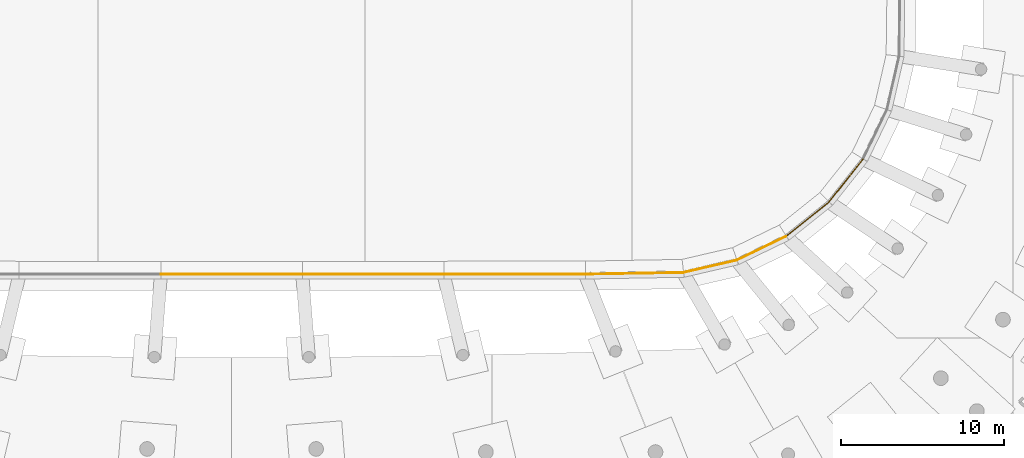
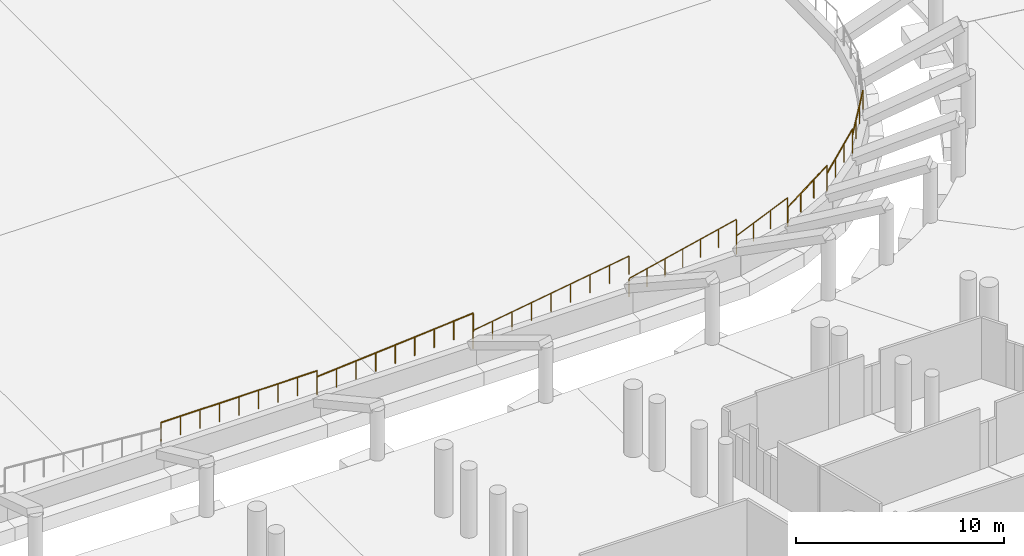
# One storey, part 120 of 142: 8 railings.
"""IFC4 building model written with IfcOpenShell, lengths in metres."""

from ifc_helpers import new_model, si_unit, direction, frame, origin, origin_2d, place, context, subcontext, project, spatial, circle, extrude, material, type_object, element, save


model = new_model("IFC4")

# Units and contexts
model_context = context("Model", 3, precision=1e-05, world=origin(), true_north=direction((0.0, 1.0)))
body_context = subcontext(model_context, "Body", "Model", "MODEL_VIEW")
ifc_project = project(units=[si_unit("LENGTHUNIT", "METRE"), si_unit("AREAUNIT", "SQUARE_METRE"), si_unit("VOLUMEUNIT", "CUBIC_METRE"), si_unit("PLANEANGLEUNIT", "RADIAN"), si_unit("MASSUNIT", "GRAM", prefix="KILO")], contexts=[model_context])

# Site, building, storey
site_placement = place(None, origin())
site = spatial("IfcSite", under=ifc_project, at=site_placement, CompositionType="ELEMENT")
building_placement = place(site_placement, origin())
building = spatial("IfcBuilding", under=site, at=building_placement, Name="Meseta Stadium", CompositionType="ELEMENT")
storey_placement = place(building_placement, frame((0.0, 0.0, -4.0)))
storey = spatial("IfcBuildingStorey", under=building, at=storey_placement, Name="B1", CompositionType="ELEMENT", Elevation=-4.0)

# Railings
ifc_material = material(Name="Steel S355", Category="steel")
railing_type = type_object("IfcRailingType", Name="Stand edge guard 1100", PredefinedType="GUARDRAIL", material=ifc_material)
railing_1_placement = place(storey_placement, frame((-4.34130859375, -60.099609375, 1.05078125)))
element("IfcRailing", 1, at=railing_1_placement, inside=storey, type_object=railing_type, Name="Stand lower tier front guard bay 47", PredefinedType="GUARDRAIL", context=body_context, shape_type="SweptSolid", body=[
    extrude(circle(Radius=0.02490234375, at=origin_2d()), frame((0.0, 0.0, 1.0751953125), z_axis=(1.0, 0.0, 0.0), x_axis=(0.0, 1.0, 0.0)), (0.0, 0.0, 1.0), 8.6826171875),
    extrude(circle(Radius=0.02001953125, at=origin_2d()), origin(), (0.0, 0.0, 1.0), 1.050048828125),
    extrude(circle(Radius=0.02001953125, at=origin_2d()), frame((1.08544921875, 0.0, 0.0)), (0.0, 0.0, 1.0), 1.050048828125),
    extrude(circle(Radius=0.02001953125, at=origin_2d()), frame((2.170654296875, 0.0, 0.0)), (0.0, 0.0, 1.0), 1.050048828125),
    extrude(circle(Radius=0.02001953125, at=origin_2d()), frame((3.255859375, 0.0, 0.0)), (0.0, 0.0, 1.0), 1.050048828125),
    extrude(circle(Radius=0.02001953125, at=origin_2d()), frame((4.34130859375, 0.0, 0.0)), (0.0, 0.0, 1.0), 1.050048828125),
    extrude(circle(Radius=0.02001953125, at=origin_2d()), frame((5.4267578125, 0.0, 0.0)), (0.0, 0.0, 1.0), 1.050048828125),
    extrude(circle(Radius=0.02001953125, at=origin_2d()), frame((6.511962890625, 0.0, 0.0)), (0.0, 0.0, 1.0), 1.050048828125),
    extrude(circle(Radius=0.02001953125, at=origin_2d()), frame((7.59716796875, 0.0, 0.0)), (0.0, 0.0, 1.0), 1.050048828125),
    extrude(circle(Radius=0.02001953125, at=origin_2d()), frame((8.6826171875, 0.0, 0.0)), (0.0, 0.0, 1.0), 1.050048828125),
])
railing_2_placement = place(storey_placement, frame((4.34130859375, -60.099609375, 0.704345703125)))
element("IfcRailing", 2, at=railing_2_placement, inside=storey, type_object=railing_type, Name="Stand lower tier front guard bay 48", PredefinedType="GUARDRAIL", context=body_context, shape_type="SweptSolid", body=[
    extrude(circle(Radius=0.02490234375, at=origin_2d()), frame((0.0, 0.0, 1.0751953125), z_axis=(0.996830558854, 0.000252284104, 0.079553587526), x_axis=(-0.000253086238, 0.999999967974, 0.0)), (0.0, 0.0, 1.0), 8.70947265625),
    extrude(circle(Radius=0.02001953125, at=origin_2d()), origin(), (0.0, 0.0, 1.0), 1.050048828125),
    extrude(circle(Radius=0.02001953125, at=origin_2d()), frame((1.085205078125, 0.000244140625, 0.086669921875)), (0.0, 0.0, 1.0), 1.050048828125),
    extrude(circle(Radius=0.02001953125, at=origin_2d()), frame((2.17041015625, 0.00048828125, 0.17333984375)), (0.0, 0.0, 1.0), 1.050048828125),
    extrude(circle(Radius=0.02001953125, at=origin_2d()), frame((3.255615234375, 0.000732421875, 0.259765625)), (0.0, 0.0, 1.0), 1.050048828125),
    extrude(circle(Radius=0.02001953125, at=origin_2d()), frame((4.3408203125, 0.0009765625, 0.346435546875)), (0.0, 0.0, 1.0), 1.050048828125),
    extrude(circle(Radius=0.02001953125, at=origin_2d()), frame((5.42626953125, 0.00146484375, 0.43310546875)), (0.0, 0.0, 1.0), 1.050048828125),
    extrude(circle(Radius=0.02001953125, at=origin_2d()), frame((6.511474609375, 0.001708984375, 0.51953125)), (0.0, 0.0, 1.0), 1.050048828125),
    extrude(circle(Radius=0.02001953125, at=origin_2d()), frame((7.5966796875, 0.001953125, 0.606201171875)), (0.0, 0.0, 1.0), 1.050048828125),
    extrude(circle(Radius=0.02001953125, at=origin_2d()), frame((8.681884765625, 0.002197265625, 0.69287109375)), (0.0, 0.0, 1.0), 1.050048828125),
])
railing_3_placement = place(storey_placement, frame((13.023193359375, -60.097412109375, 0.382080078125)))
element("IfcRailing", 3, at=railing_3_placement, inside=storey, type_object=railing_type, Name="Stand lower tier front guard bay 49", PredefinedType="GUARDRAIL", context=body_context, shape_type="SweptSolid", body=[
    extrude(circle(Radius=0.02490234375, at=origin_2d()), frame((0.0, 0.0, 1.0751953125), z_axis=(0.988338128851, 0.000500353996, 0.152274399377), x_axis=(-0.000506257845, 0.999999871851, 0.0)), (0.0, 0.0, 1.0), 8.782958984375),
    extrude(circle(Radius=0.02001953125, at=origin_2d()), origin(), (0.0, 0.0, 1.0), 1.050048828125),
    extrude(circle(Radius=0.02001953125, at=origin_2d()), frame((1.0849609375, 0.00048828125, 0.167236328125)), (0.0, 0.0, 1.0), 1.050048828125),
    extrude(circle(Radius=0.02001953125, at=origin_2d()), frame((2.170166015625, 0.0009765625, 0.33447265625)), (0.0, 0.0, 1.0), 1.050048828125),
    extrude(circle(Radius=0.02001953125, at=origin_2d()), frame((3.255126953125, 0.001708984375, 0.50146484375)), (0.0, 0.0, 1.0), 1.050048828125),
    extrude(circle(Radius=0.02001953125, at=origin_2d()), frame((4.34033203125, 0.002197265625, 0.668701171875)), (0.0, 0.0, 1.0), 1.050048828125),
    extrude(circle(Radius=0.02001953125, at=origin_2d()), frame((5.42529296875, 0.002685546875, 0.8359375)), (0.0, 0.0, 1.0), 1.050048828125),
    extrude(circle(Radius=0.02001953125, at=origin_2d()), frame((6.51025390625, 0.00341796875, 1.0029296875)), (0.0, 0.0, 1.0), 1.050048828125),
    extrude(circle(Radius=0.02001953125, at=origin_2d()), frame((7.595458984375, 0.00390625, 1.170166015625)), (0.0, 0.0, 1.0), 1.050048828125),
    extrude(circle(Radius=0.02001953125, at=origin_2d()), frame((8.680419921875, 0.00439453125, 1.33740234375)), (0.0, 0.0, 1.0), 1.050048828125),
])
railing_4_placement = place(storey_placement, frame((21.70361328125, -60.093017578125, 0.40087890625)))
element("IfcRailing", 4, at=railing_4_placement, inside=storey, type_object=railing_type, Name="Stand lower tier front guard bay 50", PredefinedType="GUARDRAIL", context=body_context, shape_type="SweptSolid", body=[
    extrude(circle(Radius=0.02490234375, at=origin_2d()), frame((0.0, 0.0, 1.0751953125), z_axis=(0.977386786679, 0.016354458427, 0.21082599677), x_axis=(-0.016730499741, 0.999860035394, 0.0)), (0.0, 0.0, 1.0), 6.165283203125),
    extrude(circle(Radius=0.02001953125, at=origin_2d()), origin(), (0.0, 0.0, 1.0), 1.050048828125),
    extrude(circle(Radius=0.02001953125, at=origin_2d()), frame((1.00439453125, 0.016845703125, 0.216552734375)), (0.0, 0.0, 1.0), 1.050048828125),
    extrude(circle(Radius=0.02001953125, at=origin_2d()), frame((2.008544921875, 0.03369140625, 0.433349609375)), (0.0, 0.0, 1.0), 1.050048828125),
    extrude(circle(Radius=0.02001953125, at=origin_2d()), frame((3.012939453125, 0.05029296875, 0.64990234375)), (0.0, 0.0, 1.0), 1.050048828125),
    extrude(circle(Radius=0.02001953125, at=origin_2d()), frame((4.017333984375, 0.067138671875, 0.866455078125)), (0.0, 0.0, 1.0), 1.050048828125),
    extrude(circle(Radius=0.02001953125, at=origin_2d()), frame((5.021484375, 0.083984375, 1.083251953125)), (0.0, 0.0, 1.0), 1.050048828125),
    extrude(circle(Radius=0.02001953125, at=origin_2d()), frame((6.02587890625, 0.100830078125, 1.2998046875)), (0.0, 0.0, 1.0), 1.050048828125),
])
railing_5_placement = place(storey_placement, frame((27.7294921875, -59.9921875, 0.7333984375)))
element("IfcRailing", 5, at=railing_5_placement, inside=storey, type_object=railing_type, Name="Stand lower tier front guard bay 51", PredefinedType="GUARDRAIL", context=body_context, shape_type="SweptSolid", body=[
    extrude(circle(Radius=0.02490234375, at=origin_2d()), frame((0.0, 0.0, 1.0751953125), z_axis=(0.957750151687, 0.220269732643, 0.184921312519), x_axis=(-0.224135320488, 0.974558032192, 0.0)), (0.0, 0.0, 1.0), 3.4326171875),
    extrude(circle(Radius=0.02001953125, at=origin_2d()), origin(), (0.0, 0.0, 1.0), 1.050048828125),
    extrude(circle(Radius=0.02001953125, at=origin_2d()), frame((1.095947265625, 0.251953125, 0.211669921875)), (0.0, 0.0, 1.0), 1.050048828125),
    extrude(circle(Radius=0.02001953125, at=origin_2d()), frame((2.191650390625, 0.504150390625, 0.423095703125)), (0.0, 0.0, 1.0), 1.050048828125),
    extrude(circle(Radius=0.02001953125, at=origin_2d()), frame((3.28759765625, 0.756103515625, 0.634765625)), (0.0, 0.0, 1.0), 1.050048828125),
])
railing_6_placement = place(storey_placement, frame((31.01708984375, -59.236083984375, 0.791748046875)))
element("IfcRailing", 6, at=railing_6_placement, inside=storey, type_object=railing_type, Name="Stand lower tier front guard bay 52", PredefinedType="GUARDRAIL", context=body_context, shape_type="SweptSolid", body=[
    extrude(circle(Radius=0.02490234375, at=origin_2d()), frame((0.0, 0.0, 1.0751953125), z_axis=(0.889933187365, 0.430086681868, 0.151803715722), x_axis=(-0.435129546324, 0.900367856998, 0.0)), (0.0, 0.0, 1.0), 3.412841796875),
    extrude(circle(Radius=0.02001953125, at=origin_2d()), origin(), (0.0, 0.0, 1.0), 1.050048828125),
    extrude(circle(Radius=0.02001953125, at=origin_2d()), frame((1.012451171875, 0.4892578125, 0.172607421875)), (0.0, 0.0, 1.0), 1.050048828125),
    extrude(circle(Radius=0.02001953125, at=origin_2d()), frame((2.024658203125, 0.978515625, 0.345458984375)), (0.0, 0.0, 1.0), 1.050048828125),
    extrude(circle(Radius=0.02001953125, at=origin_2d()), frame((3.037109375, 1.4677734375, 0.51806640625)), (0.0, 0.0, 1.0), 1.050048828125),
])
railing_7_placement = place(storey_placement, frame((34.05419921875, -57.768310546875, 0.8544921875)))
element("IfcRailing", 7, at=railing_7_placement, inside=storey, type_object=railing_type, Name="Stand lower tier front guard bay 53", PredefinedType="GUARDRAIL", context=body_context, shape_type="SweptSolid", body=[
    extrude(circle(Radius=0.02490234375, at=origin_2d()), frame((0.0, 0.0, 1.0751953125), z_axis=(0.775984803818, 0.620054561139, 0.115671627695), x_axis=(-0.624244799045, 0.781228795466, 0.0)), (0.0, 0.0, 1.0), 3.39599609375),
    extrude(circle(Radius=0.02001953125, at=origin_2d()), origin(), (0.0, 0.0, 1.0), 1.050048828125),
    extrude(circle(Radius=0.02001953125, at=origin_2d()), frame((0.87841796875, 0.701904296875, 0.130859375)), (0.0, 0.0, 1.0), 1.050048828125),
    extrude(circle(Radius=0.02001953125, at=origin_2d()), frame((1.7568359375, 1.40380859375, 0.261962890625)), (0.0, 0.0, 1.0), 1.050048828125),
    extrude(circle(Radius=0.02001953125, at=origin_2d()), frame((2.63525390625, 2.105712890625, 0.392822265625)), (0.0, 0.0, 1.0), 1.050048828125),
])
railing_8_placement = place(storey_placement, frame((36.689453125, -55.66259765625, 0.92041015625)))
element("IfcRailing", 8, at=railing_8_placement, inside=storey, type_object=railing_type, Name="Stand lower tier front guard bay 54", PredefinedType="GUARDRAIL", context=body_context, shape_type="SweptSolid", body=[
    extrude(circle(Radius=0.02490234375, at=origin_2d()), frame((0.0, 0.0, 1.0751953125), z_axis=(0.621107743399, 0.779920260037, 0.077133384955), x_axis=(-0.782250755102, 0.62296368766, 0.0)), (0.0, 0.0, 1.0), 3.383544921875),
    extrude(circle(Radius=0.02001953125, at=origin_2d()), origin(), (0.0, 0.0, 1.0), 1.050048828125),
    extrude(circle(Radius=0.02001953125, at=origin_2d()), frame((0.700439453125, 0.879638671875, 0.0869140625)), (0.0, 0.0, 1.0), 1.050048828125),
    extrude(circle(Radius=0.02001953125, at=origin_2d()), frame((1.401123046875, 1.75927734375, 0.174072265625)), (0.0, 0.0, 1.0), 1.050048828125),
    extrude(circle(Radius=0.02001953125, at=origin_2d()), frame((2.1015625, 2.638916015625, 0.260986328125)), (0.0, 0.0, 1.0), 1.050048828125),
])

save(model, "model.ifc")
